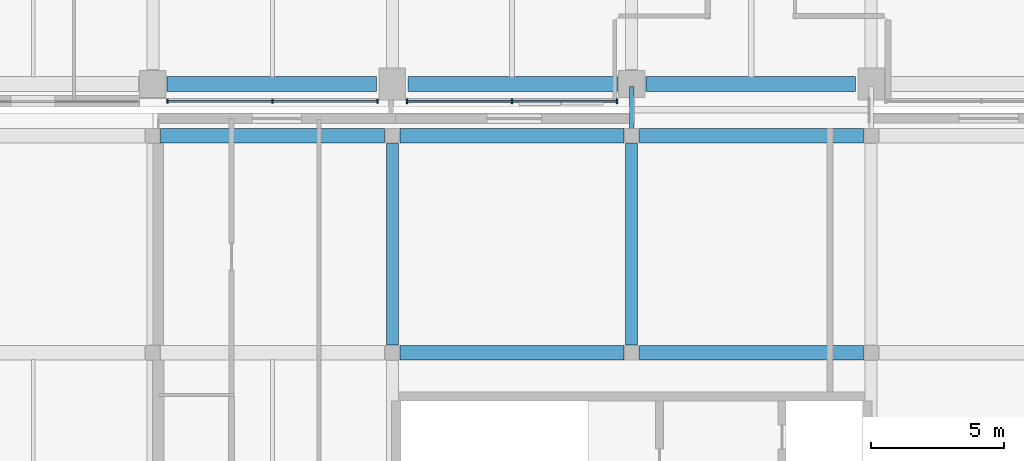
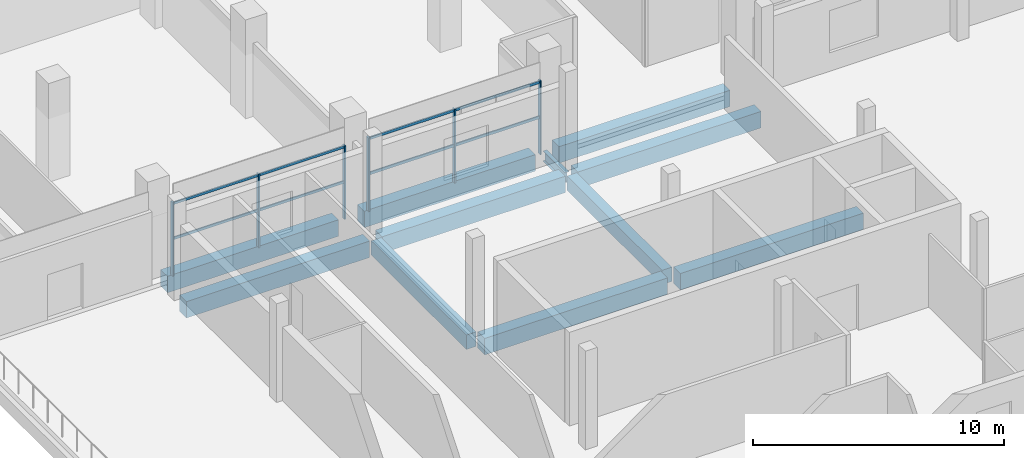
# One storey, part 6 of 111: 11 beams, 10 members, 2 elements without a shape of their own.
"""IFC4 building model written with IfcOpenShell, lengths in metres."""

import ifcopenshell
import ifcopenshell.guid

model = None  # the IFC model being written
_history = None  # IfcOwnerHistory: only IFC2X3 demands one
_inside = {}  # id of a spatial element -> (the spatial element, [elements in it])
_under = {}  # id of a project, library or spatial element -> (it, [spatial elements below it])
_declared = {}  # id of a project -> (the project, [libraries it declares])
_typed = {}  # id of a type object -> (the type object, [elements of that type])
_made_of = {}  # id of a material, layer set ... -> (it, [elements and type objects made of it])


def new_model(schema):
    """Start an empty IFC model of exactly this schema.

    Asked for "IFC4X3", IfcOpenShell would pick the latest addendum, in which some entities
    have other attributes; the version numbers below select the first issue.
    IFC2X3 requires an IfcOwnerHistory on every rooted entity: one is made here for all.
    """
    global model, _history
    if schema == "IFC4X3":
        model = ifcopenshell.file(schema_version=(4, 3, 0, 0))
    else:
        model = ifcopenshell.file(schema=schema)
    _inside.clear()
    _under.clear()
    _declared.clear()
    _typed.clear()
    _made_of.clear()
    _history = None
    if model.schema == "IFC2X3":
        org = make("IfcOrganization", Name="unknown")
        user = make(
            "IfcPersonAndOrganization",
            ThePerson=make("IfcPerson", FamilyName="unknown"),
            TheOrganization=org,
        )
        app = make(
            "IfcApplication",
            ApplicationDeveloper=org,
            Version="unknown",
            ApplicationFullName="unknown",
            ApplicationIdentifier="unknown",
        )
        _history = make(
            "IfcOwnerHistory",
            OwningUser=user,
            OwningApplication=app,
            ChangeAction="ADDED",
            CreationDate=0,
        )
    return model


def make(cls, **values):
    """One entity of the class cls with the attributes given. An attribute that is None is left unset."""
    return model.create_entity(
        cls, **{name: value for name, value in values.items() if value is not None}
    )


def rooted(cls, **values):
    """An entity with a GlobalId (a new one), such as an element, a storey or a relation."""
    return make(cls, GlobalId=ifcopenshell.guid.new(), OwnerHistory=_history, **values)


def si_unit(unit_type, name, prefix=None):
    """IfcSIUnit, for example si_unit("LENGTHUNIT", "METRE", prefix="MILLI")."""
    return make("IfcSIUnit", UnitType=unit_type, Prefix=prefix, Name=name)


def assignment(units):
    """IfcUnitAssignment: the units of a project."""
    return None if units is None else make("IfcUnitAssignment", Units=units)


def point(xyz):
    """IfcCartesianPoint."""
    return None if xyz is None else make("IfcCartesianPoint", Coordinates=xyz)


def direction(xyz):
    """IfcDirection."""
    return None if xyz is None else make("IfcDirection", DirectionRatios=xyz)


def frame(location, z_axis=None, x_axis=None):
    """IfcAxis2Placement3D, a coordinate frame: its origin and axes. An axis left out is left unset."""
    return make(
        "IfcAxis2Placement3D",
        Location=point(location),
        Axis=direction(z_axis),
        RefDirection=direction(x_axis),
    )


def frame_2d(location, x_axis=None):
    """IfcAxis2Placement2D, a coordinate frame in the plane: its origin and x axis."""
    return make(
        "IfcAxis2Placement2D", Location=point(location), RefDirection=direction(x_axis)
    )


def origin():
    """The frame at (0, 0, 0) with its axes left unset."""
    return frame((0.0, 0.0, 0.0))


def origin_2d():
    """The frame at (0, 0) in the plane with its x axis left unset."""
    return frame_2d((0.0, 0.0))


def place(relative_to, where):
    """IfcLocalPlacement: puts the frame where relative to a parent placement (None: the world)."""
    return make(
        "IfcLocalPlacement", PlacementRelTo=relative_to, RelativePlacement=where
    )


def context(
    kind, dimensions, precision=None, world=None, true_north=None, identifier=None
):
    """IfcGeometricRepresentationContext, for example the 3D "Model" context."""
    return make(
        "IfcGeometricRepresentationContext",
        ContextIdentifier=identifier,
        ContextType=kind,
        CoordinateSpaceDimension=dimensions,
        Precision=precision,
        WorldCoordinateSystem=world,
        TrueNorth=true_north,
    )


def subcontext(parent, identifier, kind, view, scale=None):
    """IfcGeometricRepresentationSubContext, for example "Body" below "Model"."""
    return make(
        "IfcGeometricRepresentationSubContext",
        ContextIdentifier=identifier,
        ContextType=kind,
        ParentContext=parent,
        TargetScale=scale,
        TargetView=view,
    )


def project(units=None, contexts=None):
    """IfcProject with its units and contexts."""
    return rooted(
        "IfcProject",
        Name="project",
        RepresentationContexts=contexts,
        UnitsInContext=assignment(units),
    )


def spatial(cls, under=None, at=None, **own):
    """A site, building, storey or space (cls), placed at a placement, below another one or the project."""
    s = rooted(cls, ObjectPlacement=at, **own)
    if under is not None:
        _under.setdefault(under.id(), (under, []))[1].append(s)
    return s


def profile(cls, at=None, kind="AREA", **sizes):
    """A parametric profile (cls). Its sizes go by their IFC names, for example OverallWidth=200.0."""
    return make(cls, ProfileType=kind, Position=at, **sizes)


def rectangle(**sizes):
    """IfcRectangleProfileDef."""
    return profile("IfcRectangleProfileDef", **sizes)


def i_section(**sizes):
    """IfcIShapeProfileDef."""
    return profile("IfcIShapeProfileDef", **sizes)


def extrude(swept, where, along, depth):
    """IfcExtrudedAreaSolid: the profile swept, set in the frame where, extruded along a direction by depth."""
    return make(
        "IfcExtrudedAreaSolid",
        SweptArea=swept,
        Position=where,
        ExtrudedDirection=direction(along),
        Depth=depth,
    )


def shape(context_of_items, identifier, shape_type, items):
    """IfcShapeRepresentation: the items that make up one representation, for example the "Body"."""
    return make(
        "IfcShapeRepresentation",
        ContextOfItems=context_of_items,
        RepresentationIdentifier=identifier,
        RepresentationType=shape_type,
        Items=items,
    )


def material(Name=None, Category=None):
    """IfcMaterial."""
    return make("IfcMaterial", Name=Name, Category=Category)


def material_profile(
    of_material, cross_section, Name=None, Category=None, Priority=None
):
    """IfcMaterialProfile: a cross section and its material."""
    return make(
        "IfcMaterialProfile",
        Name=Name,
        Material=of_material,
        Profile=cross_section,
        Priority=Priority,
        Category=Category,
    )


def profile_set(profiles, Name=None, composite=None):
    """IfcMaterialProfileSet."""
    return make(
        "IfcMaterialProfileSet",
        Name=Name,
        MaterialProfiles=profiles,
        CompositeProfile=composite,
    )


def made_of(thing, what):
    """Note that an element or type object is made of a material, layer set ...; save() writes the relation."""
    if what is not None:
        _made_of.setdefault(what.id(), (what, []))[1].append(thing)
    return thing


def type_object(cls, material=None, **own):
    """A type object (cls), such as IfcWallType, which elements share."""
    return made_of(rooted(cls, **own), material)


def element(
    cls,
    number,
    at=None,
    inside=None,
    cuts=None,
    type_object=None,
    material=None,
    context=None,
    identifier="Body",
    shape_type=None,
    held_by="IfcProductDefinitionShape",
    body=None,
    shapes=None,
    **own,
):
    """One element of the class cls, such as IfcWall. Its Tag is "e" and its number.

    at: its placement. inside: the storey or other place that contains it. cuts: it is an
    opening in that element (IfcRelVoidsElement). A single representation is given by context,
    identifier, shape_type and body (its items); several are given by shapes. held_by: the class
    of the entity that holds the representations. save() writes the other relations.
    """
    e = rooted(cls, Tag="e%d" % number, ObjectPlacement=at, **own)
    if body is not None:
        shapes = [shape(context, identifier, shape_type, body)]
    if shapes is not None:
        e.Representation = make(held_by, Representations=shapes)
    if inside is not None:
        _inside.setdefault(inside.id(), (inside, []))[1].append(e)
    if cuts is not None:
        rooted(
            "IfcRelVoidsElement", RelatingBuildingElement=cuts, RelatedOpeningElement=e
        )
    if type_object is not None:
        _typed.setdefault(type_object.id(), (type_object, []))[1].append(e)
    return made_of(e, material)


def aggregate(whole, parts):
    """IfcRelAggregates: a whole, such as a stair, and the parts it consists of."""
    return rooted("IfcRelAggregates", RelatingObject=whole, RelatedObjects=parts)


def save(model, path):
    """Write the relations noted so far, then the file.

    IfcRelAggregates (storeys below a building ...), IfcRelContainedInSpatialStructure (elements
    in a storey), IfcRelDefinesByType, IfcRelAssociatesMaterial and IfcRelDeclares: one each for
    every whole, place, type object, material and project.
    """
    for whole, parts in _under.values():
        aggregate(whole, parts)
    for where, things in _inside.values():
        rooted(
            "IfcRelContainedInSpatialStructure",
            RelatedElements=things,
            RelatingStructure=where,
        )
    for kind, things in _typed.values():
        rooted("IfcRelDefinesByType", RelatedObjects=things, RelatingType=kind)
    for what, things in _made_of.values():
        rooted("IfcRelAssociatesMaterial", RelatedObjects=things, RelatingMaterial=what)
    for by, libraries in _declared.values():
        rooted("IfcRelDeclares", RelatingContext=by, RelatedDefinitions=libraries)
    model.write(path)


model = new_model("IFC4")

# Units and contexts
model_context = context("Model", 3, precision=1e-05, world=origin(), true_north=direction((0.0, 1.0)))
body_context = subcontext(model_context, "Body", "Model", "MODEL_VIEW")
ifc_project = project(units=[si_unit("LENGTHUNIT", "METRE"), si_unit("AREAUNIT", "SQUARE_METRE"), si_unit("VOLUMEUNIT", "CUBIC_METRE"), si_unit("PLANEANGLEUNIT", "RADIAN"), si_unit("MASSUNIT", "GRAM", prefix="KILO"), si_unit("THERMODYNAMICTEMPERATUREUNIT", "KELVIN"), si_unit("POWERUNIT", "WATT")], contexts=[model_context])

# Site, building, storey
site_placement = place(None, origin())
site = spatial("IfcSite", under=ifc_project, at=site_placement, CompositionType="ELEMENT")
building_placement = place(site_placement, origin())
building = spatial("IfcBuilding", under=site, at=building_placement, Name="Sindhuravela Promenade Stadium", CompositionType="ELEMENT")
storey_placement = place(building_placement, frame((0.0, 0.0, 9.60009765625)))
storey = spatial("IfcBuildingStorey", under=building, at=storey_placement, Name="L02", CompositionType="ELEMENT", Elevation=9.60009765625)

# Curtain wall, members
ifc_material_1 = material(Name="Anodised architectural aluminium 6063-T6", Category="aluminium")
curtain_wall_type_1 = type_object("IfcCurtainWallType", Name="CW-MOD-3", PredefinedType="NOTDEFINED", material=ifc_material_1)
curtain_wall_1_placement = place(storey_placement, origin())
curtain_wall_1 = element("IfcCurtainWall", 1, at=curtain_wall_1_placement, inside=storey, type_object=curtain_wall_type_1, Name="Bronze curtain wall CW-WEST-L02-026", PredefinedType="NOTDEFINED")
ifc_material_profile_1 = material_profile(ifc_material_1, rectangle(XDim=0.06005859375, YDim=0.179931640625, at=origin_2d()), Name="ALU M60x180")
ifc_profile_set_1 = profile_set([ifc_material_profile_1], Name="Anodised architectural aluminium 6063-T6")
member_type_1 = type_object("IfcMemberType", Name="CW-MUL-3", PredefinedType="MULLION", material=ifc_profile_set_1)
member_1_placement = place(storey_placement, frame((26.449951171875, 36.449951171875, 0.0), z_axis=(0.0, 0.0, 1.0), x_axis=(1.0, 0.0, 0.0)))
member_1 = element("IfcMember", 2, at=member_1_placement, type_object=member_type_1, Name="Curtain wall mullion CW-WEST-L02-026-M1", PredefinedType="MULLION", context=body_context, shape_type="SweptSolid", body=[
    extrude(rectangle(XDim=0.06005859375, YDim=0.179931640625, at=origin_2d()), origin(), (0.0, 0.0, 1.0), 3.579833984375),
])
member_2_placement = place(storey_placement, frame((22.5, 36.449951171875, 0.0), z_axis=(0.0, 0.0, 1.0), x_axis=(1.0, 0.0, 0.0)))
member_2 = element("IfcMember", 3, at=member_2_placement, type_object=member_type_1, Name="Curtain wall mullion CW-WEST-L02-026-M2", PredefinedType="MULLION", context=body_context, shape_type="SweptSolid", body=[
    extrude(rectangle(XDim=0.06005859375, YDim=0.179931640625, at=origin_2d()), origin(), (0.0, 0.0, 1.0), 3.579833984375),
])
member_3_placement = place(storey_placement, frame((18.550048828125, 36.449951171875, 0.0), z_axis=(0.0, 0.0, 1.0), x_axis=(1.0, 0.0, 0.0)))
member_3 = element("IfcMember", 4, at=member_3_placement, type_object=member_type_1, Name="Curtain wall mullion CW-WEST-L02-026-M3", PredefinedType="MULLION", context=body_context, shape_type="SweptSolid", body=[
    extrude(rectangle(XDim=0.06005859375, YDim=0.179931640625, at=origin_2d()), origin(), (0.0, 0.0, 1.0), 3.579833984375),
])

curtain_wall_type_2 = type_object("IfcCurtainWallType", Name="CW-MOD-4", PredefinedType="NOTDEFINED", material=ifc_material_1)
curtain_wall_2_placement = place(storey_placement, origin())
curtain_wall_2 = element("IfcCurtainWall", 5, at=curtain_wall_2_placement, inside=storey, type_object=curtain_wall_type_2, Name="Bronze curtain wall CW-WEST-L02-027", PredefinedType="NOTDEFINED")
ifc_material_profile_2 = material_profile(ifc_material_1, rectangle(XDim=0.06005859375, YDim=0.159912109375, at=origin_2d()), Name="ALU M60x160")
ifc_profile_set_2 = profile_set([ifc_material_profile_2], Name="Anodised architectural aluminium 6063-T6")
member_type_2 = type_object("IfcMemberType", Name="CW-MUL-4", PredefinedType="MULLION", material=ifc_profile_set_2)
member_4_placement = place(storey_placement, frame((17.449951171875, 36.449951171875, 0.0), z_axis=(0.0, 0.0, 1.0), x_axis=(1.0, 0.0, 0.0)))
member_4 = element("IfcMember", 6, at=member_4_placement, type_object=member_type_2, Name="Curtain wall mullion CW-WEST-L02-027-M1", PredefinedType="MULLION", context=body_context, shape_type="SweptSolid", body=[
    extrude(rectangle(XDim=0.06005859375, YDim=0.159912109375, at=origin_2d()), origin(), (0.0, 0.0, 1.0), 3.579833984375),
])
member_5_placement = place(storey_placement, frame((13.5, 36.449951171875, 0.0), z_axis=(0.0, 0.0, 1.0), x_axis=(1.0, 0.0, 0.0)))
member_5 = element("IfcMember", 7, at=member_5_placement, type_object=member_type_2, Name="Curtain wall mullion CW-WEST-L02-027-M2", PredefinedType="MULLION", context=body_context, shape_type="SweptSolid", body=[
    extrude(rectangle(XDim=0.06005859375, YDim=0.159912109375, at=origin_2d()), origin(), (0.0, 0.0, 1.0), 3.579833984375),
])
member_6_placement = place(storey_placement, frame((9.550048828125, 36.449951171875, 0.0), z_axis=(0.0, 0.0, 1.0), x_axis=(1.0, 0.0, 0.0)))
member_6 = element("IfcMember", 8, at=member_6_placement, type_object=member_type_2, Name="Curtain wall mullion CW-WEST-L02-027-M3", PredefinedType="MULLION", context=body_context, shape_type="SweptSolid", body=[
    extrude(rectangle(XDim=0.06005859375, YDim=0.159912109375, at=origin_2d()), origin(), (0.0, 0.0, 1.0), 3.579833984375),
])

# Member
ifc_material_profile_3 = material_profile(ifc_material_1, rectangle(XDim=0.06005859375, YDim=0.1298828125, at=origin_2d()), Name="ALU T60x130")
ifc_profile_set_3 = profile_set([ifc_material_profile_3], Name="Anodised architectural aluminium 6063-T6")
member_type_3 = type_object("IfcMemberType", Name="CW-TRN-3", PredefinedType="USERDEFINED", material=ifc_profile_set_3)
member_7_placement = place(storey_placement, frame((26.47509765625, 36.449951171875, 1.789794921875), z_axis=(-1.0, 0.0, 0.0), x_axis=(0.0, -1.0, 0.0)))
member_7 = element("IfcMember", 9, at=member_7_placement, type_object=member_type_3, Name="Curtain wall transom CW-WEST-L02-026-T1", ObjectType="TRANSOM", PredefinedType="USERDEFINED", context=body_context, shape_type="SweptSolid", body=[
    extrude(rectangle(XDim=0.06005859375, YDim=0.1298828125, at=origin_2d()), origin(), (0.0, 0.0, 1.0), 7.9501953125),
])

member_8_placement = place(storey_placement, frame((26.47509765625, 36.449951171875, 3.5), z_axis=(-1.0, 0.0, 0.0), x_axis=(0.0, -1.0, 0.0)))
member_8 = element("IfcMember", 10, at=member_8_placement, type_object=member_type_3, Name="Curtain wall transom CW-WEST-L02-026-T2", ObjectType="TRANSOM", PredefinedType="USERDEFINED", context=body_context, shape_type="SweptSolid", body=[
    extrude(rectangle(XDim=0.06005859375, YDim=0.1298828125, at=origin_2d()), origin(), (0.0, 0.0, 1.0), 7.9501953125),
])

aggregate(curtain_wall_1, [member_1, member_2, member_3, member_7, member_8])

ifc_material_profile_4 = material_profile(ifc_material_1, rectangle(XDim=0.06005859375, YDim=0.1201171875, at=origin_2d()), Name="ALU T60x120")
ifc_profile_set_4 = profile_set([ifc_material_profile_4], Name="Anodised architectural aluminium 6063-T6")
member_type_4 = type_object("IfcMemberType", Name="CW-TRN-4", PredefinedType="USERDEFINED", material=ifc_profile_set_4)
member_9_placement = place(storey_placement, frame((17.47509765625, 36.449951171875, 1.789794921875), z_axis=(-1.0, 0.0, 0.0), x_axis=(0.0, -1.0, 0.0)))
member_9 = element("IfcMember", 11, at=member_9_placement, type_object=member_type_4, Name="Curtain wall transom CW-WEST-L02-027-T1", ObjectType="TRANSOM", PredefinedType="USERDEFINED", context=body_context, shape_type="SweptSolid", body=[
    extrude(rectangle(XDim=0.06005859375, YDim=0.1201171875, at=origin_2d()), origin(), (0.0, 0.0, 1.0), 7.9501953125),
])

member_10_placement = place(storey_placement, frame((17.47509765625, 36.449951171875, 3.5), z_axis=(-1.0, 0.0, 0.0), x_axis=(0.0, -1.0, 0.0)))
member_10 = element("IfcMember", 12, at=member_10_placement, type_object=member_type_4, Name="Curtain wall transom CW-WEST-L02-027-T2", ObjectType="TRANSOM", PredefinedType="USERDEFINED", context=body_context, shape_type="SweptSolid", body=[
    extrude(rectangle(XDim=0.06005859375, YDim=0.1201171875, at=origin_2d()), origin(), (0.0, 0.0, 1.0), 7.9501953125),
])

aggregate(curtain_wall_2, [member_4, member_5, member_6, member_9, member_10])

# Beams
ifc_material_2 = material(Name="Concrete M40", Category="concrete")
ifc_material_profile_5 = material_profile(ifc_material_2, rectangle(XDim=0.449951171875, YDim=0.699951171875, at=origin_2d()), Name="RC 450x700")
ifc_profile_set_5 = profile_set([ifc_material_profile_5], Name="Concrete M40")
beam_type_1 = type_object("IfcBeamType", Name="RC-BM-450x700", PredefinedType="BEAM", material=ifc_profile_set_5)
for number, where, z_axis, x_axis, name in (
    (13, (18.0, 27.2900390625, -0.585205078125), (0.0, 1.0, 0.0), (-1.0, 0.0, 0.0), "Primary beam GB07 Pavilion SW L02"),
    (14, (27.0, 27.2900390625, -0.585205078125), (0.0, 1.0, 0.0), (-1.0, 0.0, 0.0), "Primary beam GB07 Pavilion SW L02"),
):
    element("IfcBeam", number, at=place(storey_placement, frame(where, z_axis=z_axis, x_axis=x_axis)), inside=storey, type_object=beam_type_1, Name=name, PredefinedType="BEAM", context=body_context, shape_type="SweptSolid", body=[
        extrude(rectangle(XDim=0.449951171875, YDim=0.699951171875, at=origin_2d()), origin(), (0.0, 0.0, 1.0), 7.570068359375),
    ])
ifc_material_profile_6 = material_profile(ifc_material_2, rectangle(XDim=0.550048828125, YDim=0.800048828125, at=origin_2d()), Name="RC 550x800")
ifc_profile_set_6 = profile_set([ifc_material_profile_6], Name="Concrete M40")
beam_type_2 = type_object("IfcBeamType", Name="RC-BM-550x800", PredefinedType="BEAM", material=ifc_profile_set_6)
for number, where, z_axis, x_axis, name in (
    (15, (9.5400390625, 37.10009765625, -0.68017578125), (1.0, 0.0, 0.0), (0.0, 1.0, 0.0), "Primary girder GB05 WEST L02"),
    (16, (18.590087890625, 37.10009765625, -0.68017578125), (1.0, 0.0, 0.0), (0.0, 1.0, 0.0), "Primary girder GB05 WEST L02"),
    (17, (27.5400390625, 37.10009765625, -0.68017578125), (1.0, 0.0, 0.0), (0.0, 1.0, 0.0), "Primary girder GB05 WEST L02"),
):
    element("IfcBeam", number, at=place(storey_placement, frame(where, z_axis=z_axis, x_axis=x_axis)), inside=storey, type_object=beam_type_2, Name=name, PredefinedType="BEAM", context=body_context, shape_type="SweptSolid", body=[
        extrude(rectangle(XDim=0.550048828125, YDim=0.800048828125, at=origin_2d()), origin(), (0.0, 0.0, 1.0), 7.869873046875),
    ])
for number, where, z_axis, x_axis, name in (
    (18, (18.2900390625, 27.0, -0.635009765625), (1.0, 0.0, 0.0), (0.0, 1.0, 0.0), "Primary girder GB05 Pavilion SW L02"),
    (19, (27.2900390625, 27.0, -0.635009765625), (1.0, 0.0, 0.0), (0.0, 1.0, 0.0), "Primary girder GB05 Pavilion SW L02"),
    (20, (9.2900390625, 35.14990234375, -0.635009765625), (1.0, 0.0, 0.0), (0.0, 1.0, 0.0), "Primary girder GB05 Pavilion SW L02"),
    (21, (18.2900390625, 35.14990234375, -0.635009765625), (1.0, 0.0, 0.0), (0.0, 1.0, 0.0), "Primary girder GB05 Pavilion SW L02"),
    (22, (27.2900390625, 35.14990234375, -0.635009765625), (1.0, 0.0, 0.0), (0.0, 1.0, 0.0), "Primary girder GB05 Pavilion SW L02"),
):
    element("IfcBeam", number, at=place(storey_placement, frame(where, z_axis=z_axis, x_axis=x_axis)), inside=storey, type_object=beam_type_2, Name=name, PredefinedType="BEAM", context=body_context, shape_type="SweptSolid", body=[
        extrude(rectangle(XDim=0.550048828125, YDim=0.800048828125, at=origin_2d()), origin(), (0.0, 0.0, 1.0), 8.419921875),
    ])
ifc_material_3 = material(Name="Steel E350 (IS 2062 E350BR)", Category="steel")
ifc_material_profile_7 = material_profile(ifc_material_3, i_section(OverallWidth=0.179931640625, OverallDepth=0.5, WebThickness=0.01025390625, FlangeThickness=0.01708984375, FilletRadius=0.01708984375, at=origin_2d()), Name="ISMB 500")
ifc_profile_set_7 = profile_set([ifc_material_profile_7], Name="Steel E350 (IS 2062 E350BR)")
beam_type_3 = type_object("IfcBeamType", Name="ST-BM-MB500", PredefinedType="BEAM", material=ifc_profile_set_7)
beam_placement = place(storey_placement, frame((27.0, 35.25, -0.610107421875), z_axis=(0.0, 1.0, 0.0), x_axis=(-1.0, 0.0, 0.0)))
element("IfcBeam", 23, at=beam_placement, inside=storey, type_object=beam_type_3, Name="Concourse link bridge L02 West-SW PTFE sliding girder L", PredefinedType="BEAM", context=body_context, shape_type="SweptSolid", body=[
    extrude(i_section(OverallWidth=0.179931640625, OverallDepth=0.5, WebThickness=0.01025390625, FlangeThickness=0.01708984375, FilletRadius=0.01708984375, at=origin_2d()), origin(), (0.0, 0.0, 1.0), 1.75),
])

save(model, "model.ifc")
